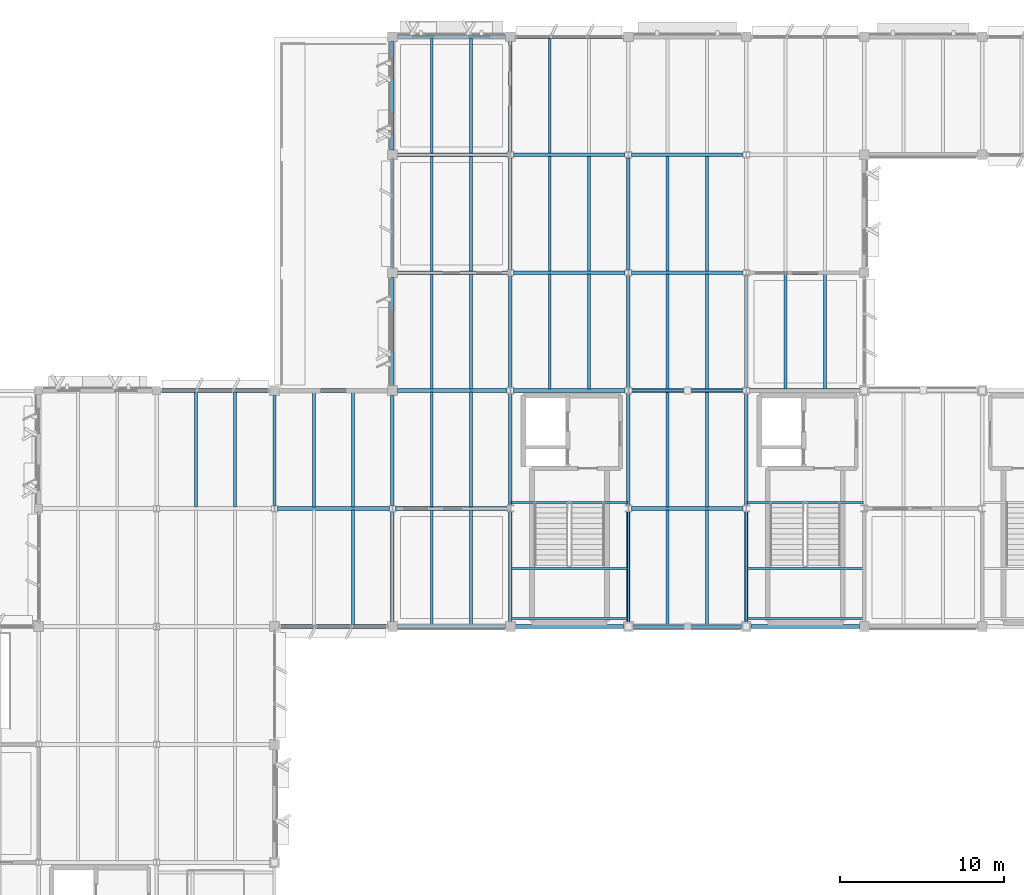
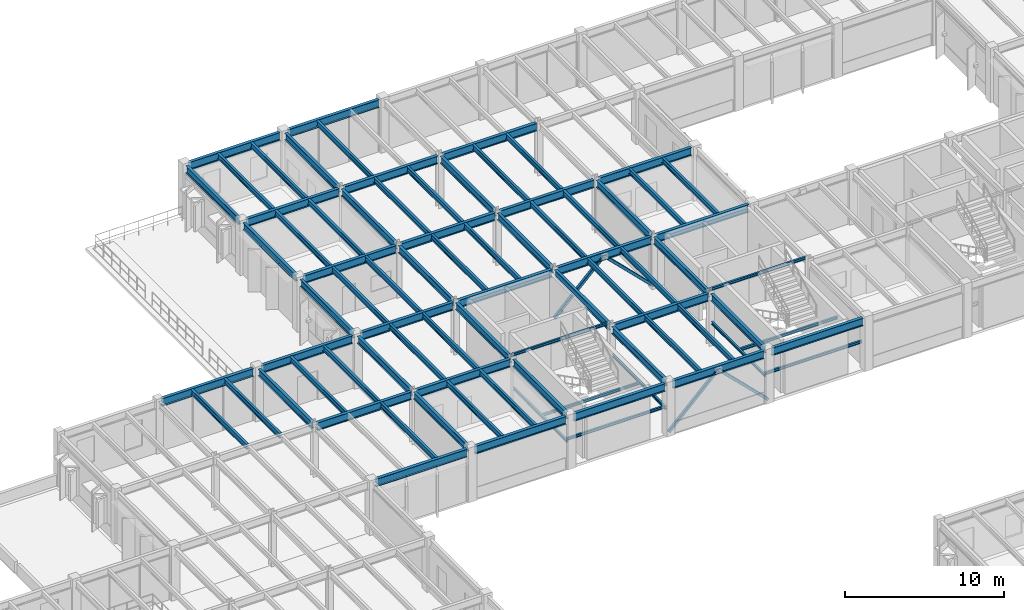
# One storey, part 21 of 85: 80 beams, 4 members.
"""IFC4 building model written with IfcOpenShell, lengths in metres."""

from ifc_helpers import new_model, si_unit, direction, frame, origin, origin_2d, place, context, subcontext, project, spatial, hollow_rectangle, i_section, extrude, material, material_profile, profile_set, type_object, element, save


model = new_model("IFC4")

# Units and contexts
model_context = context("Model", 3, precision=1e-05, world=origin(), true_north=direction((0.0, 1.0)))
body_context = subcontext(model_context, "Body", "Model", "MODEL_VIEW")
ifc_project = project(units=[si_unit("LENGTHUNIT", "METRE"), si_unit("AREAUNIT", "SQUARE_METRE"), si_unit("VOLUMEUNIT", "CUBIC_METRE"), si_unit("PLANEANGLEUNIT", "RADIAN"), si_unit("MASSUNIT", "GRAM", prefix="KILO")], contexts=[model_context])

# Site, building, storey
site_placement = place(None, origin())
site = spatial("IfcSite", under=ifc_project, at=site_placement, CompositionType="ELEMENT")
building_placement = place(site_placement, origin())
building = spatial("IfcBuilding", under=site, at=building_placement, Name="Sillqori Civic Hall", CompositionType="ELEMENT")
storey_placement = place(building_placement, frame((0.0, 0.0, 9.89990234375)))
storey = spatial("IfcBuildingStorey", under=building, at=storey_placement, Name="L03", CompositionType="ELEMENT", Elevation=9.89990234375)

# Beams
ifc_material_1 = material(Name="Steel ASTM A992", Category="steel")
ifc_material_profile_1 = material_profile(ifc_material_1, i_section(OverallWidth=0.2099609375, OverallDepth=0.532958984375, WebThickness=0.01025390625, FlangeThickness=0.015625, FilletRadius=0.013916015625, at=origin_2d()), Name="W21X62")
ifc_profile_set_1 = profile_set([ifc_material_profile_1], Name="Steel ASTM A992")
beam_type_1 = type_object("IfcBeamType", Name="BM-W21X62", PredefinedType="BEAM", material=ifc_profile_set_1)
for number, where, z_axis, x_axis, name in (
    (1, (36.0, 86.577880859375, 3.753662109375), (0.0, 1.0, 0.0), (-1.0, 0.0, 0.0), "L03 girder Y 5-12"),
    (2, (43.199951171875, 79.493896484375, 3.753662109375), (0.0, 1.0, 0.0), (-1.0, 0.0, 0.0), "L03 girder Y 6-11"),
    (3, (43.199951171875, 86.577880859375, 3.753662109375), (0.0, 1.0, 0.0), (-1.0, 0.0, 0.0), "L03 girder Y 6-12"),
):
    element("IfcBeam", number, at=place(storey_placement, frame(where, z_axis=z_axis, x_axis=x_axis)), inside=storey, type_object=beam_type_1, Name=name, PredefinedType="BEAM", context=body_context, shape_type="SweptSolid", body=[
        extrude(i_section(OverallWidth=0.2099609375, OverallDepth=0.532958984375, WebThickness=0.01025390625, FlangeThickness=0.015625, FilletRadius=0.013916015625, at=origin_2d()), origin(), (0.0, 0.0, 1.0), 6.72802734375),
    ])
for number, where, z_axis, x_axis, name in (
    (4, (43.199951171875, 93.89404296875, 3.753662109375), (0.0, 1.0, 0.0), (-1.0, 0.0, 0.0), "L03 girder Y 6-13"),
    (5, (43.199951171875, 101.093994140625, 3.753662109375), (0.0, 1.0, 0.0), (-1.0, 0.0, 0.0), "L03 girder Y 6-14"),
    (6, (43.199951171875, 108.2939453125, 3.753662109375), (0.0, 1.0, 0.0), (-1.0, 0.0, 0.0), "L03 girder Y 6-15"),
):
    element("IfcBeam", number, at=place(storey_placement, frame(where, z_axis=z_axis, x_axis=x_axis)), inside=storey, type_object=beam_type_1, Name=name, PredefinedType="BEAM", context=body_context, shape_type="SweptSolid", body=[
        extrude(i_section(OverallWidth=0.2099609375, OverallDepth=0.532958984375, WebThickness=0.01025390625, FlangeThickness=0.015625, FilletRadius=0.013916015625, at=origin_2d()), origin(), (0.0, 0.0, 1.0), 6.612060546875),
    ])
beam_1_placement = place(storey_placement, frame((50.39990234375, 79.493896484375, 3.753662109375), z_axis=(0.0, 1.0, 0.0), x_axis=(-1.0, 0.0, 0.0)))
element("IfcBeam", 7, at=beam_1_placement, inside=storey, type_object=beam_type_1, Name="L03 girder Y 7-11", PredefinedType="BEAM", context=body_context, shape_type="SweptSolid", body=[
    extrude(i_section(OverallWidth=0.2099609375, OverallDepth=0.532958984375, WebThickness=0.01025390625, FlangeThickness=0.015625, FilletRadius=0.013916015625, at=origin_2d()), origin(), (0.0, 0.0, 1.0), 6.718994140625),
])
beam_2_placement = place(storey_placement, frame((50.39990234375, 86.5869140625, 3.753662109375), z_axis=(0.0, 1.0, 0.0), x_axis=(-1.0, 0.0, 0.0)))
element("IfcBeam", 8, at=beam_2_placement, inside=storey, type_object=beam_type_1, Name="L03 girder Y 7-12", PredefinedType="BEAM", context=body_context, shape_type="SweptSolid", body=[
    extrude(i_section(OverallWidth=0.2099609375, OverallDepth=0.532958984375, WebThickness=0.01025390625, FlangeThickness=0.015625, FilletRadius=0.013916015625, at=origin_2d()), origin(), (0.0, 0.0, 1.0), 6.826171875),
])
beam_3_placement = place(storey_placement, frame((50.39990234375, 93.787109375, 3.753662109375), z_axis=(0.0, 1.0, 0.0), x_axis=(-1.0, 0.0, 0.0)))
element("IfcBeam", 9, at=beam_3_placement, inside=storey, type_object=beam_type_1, Name="L03 girder Y 7-13", PredefinedType="BEAM", context=body_context, shape_type="SweptSolid", body=[
    extrude(i_section(OverallWidth=0.2099609375, OverallDepth=0.532958984375, WebThickness=0.01025390625, FlangeThickness=0.015625, FilletRadius=0.013916015625, at=origin_2d()), origin(), (0.0, 0.0, 1.0), 6.830810546875),
])
beam_4_placement = place(storey_placement, frame((50.39990234375, 100.98193359375, 3.753662109375), z_axis=(0.0, 1.0, 0.0), x_axis=(-1.0, 0.0, 0.0)))
element("IfcBeam", 10, at=beam_4_placement, inside=storey, type_object=beam_type_1, Name="L03 girder Y 7-14", PredefinedType="BEAM", context=body_context, shape_type="SweptSolid", body=[
    extrude(i_section(OverallWidth=0.2099609375, OverallDepth=0.532958984375, WebThickness=0.01025390625, FlangeThickness=0.015625, FilletRadius=0.013916015625, at=origin_2d()), origin(), (0.0, 0.0, 1.0), 6.836181640625),
])
beam_5_placement = place(storey_placement, frame((50.39990234375, 108.181884765625, 3.753662109375), z_axis=(0.0, 1.0, 0.0), x_axis=(-1.0, 0.0, 0.0)))
element("IfcBeam", 11, at=beam_5_placement, inside=storey, type_object=beam_type_1, Name="L03 girder Y 7-15", PredefinedType="BEAM", context=body_context, shape_type="SweptSolid", body=[
    extrude(i_section(OverallWidth=0.2099609375, OverallDepth=0.532958984375, WebThickness=0.01025390625, FlangeThickness=0.015625, FilletRadius=0.013916015625, at=origin_2d()), origin(), (0.0, 0.0, 1.0), 6.72412109375),
])
beam_6_placement = place(storey_placement, frame((57.60009765625, 79.493896484375, 3.753662109375), z_axis=(0.0, 1.0, 0.0), x_axis=(-1.0, 0.0, 0.0)))
element("IfcBeam", 12, at=beam_6_placement, inside=storey, type_object=beam_type_1, Name="L03 girder Y 8-11", PredefinedType="BEAM", context=body_context, shape_type="SweptSolid", body=[
    extrude(i_section(OverallWidth=0.2099609375, OverallDepth=0.532958984375, WebThickness=0.01025390625, FlangeThickness=0.015625, FilletRadius=0.013916015625, at=origin_2d()), origin(), (0.0, 0.0, 1.0), 6.718994140625),
])
beam_7_placement = place(storey_placement, frame((57.60009765625, 86.5869140625, 3.753662109375), z_axis=(0.0, 1.0, 0.0), x_axis=(-1.0, 0.0, 0.0)))
element("IfcBeam", 13, at=beam_7_placement, inside=storey, type_object=beam_type_1, Name="L03 girder Y 8-12", PredefinedType="BEAM", context=body_context, shape_type="SweptSolid", body=[
    extrude(i_section(OverallWidth=0.2099609375, OverallDepth=0.532958984375, WebThickness=0.01025390625, FlangeThickness=0.015625, FilletRadius=0.013916015625, at=origin_2d()), origin(), (0.0, 0.0, 1.0), 6.826171875),
])
for number, where, z_axis, x_axis, name in (
    (14, (57.60009765625, 93.787109375, 3.753662109375), (0.0, 1.0, 0.0), (-1.0, 0.0, 0.0), "L03 girder Y 8-13"),
    (15, (57.60009765625, 100.987060546875, 3.753662109375), (0.0, 1.0, 0.0), (-1.0, 0.0, 0.0), "L03 girder Y 8-14"),
):
    element("IfcBeam", number, at=place(storey_placement, frame(where, z_axis=z_axis, x_axis=x_axis)), inside=storey, type_object=beam_type_1, Name=name, PredefinedType="BEAM", context=body_context, shape_type="SweptSolid", body=[
        extrude(i_section(OverallWidth=0.2099609375, OverallDepth=0.532958984375, WebThickness=0.01025390625, FlangeThickness=0.015625, FilletRadius=0.013916015625, at=origin_2d()), origin(), (0.0, 0.0, 1.0), 6.825927734375),
    ])
beam_8_placement = place(storey_placement, frame((64.800048828125, 79.493896484375, 3.753662109375), z_axis=(0.0, 1.0, 0.0), x_axis=(-1.0, 0.0, 0.0)))
element("IfcBeam", 16, at=beam_8_placement, inside=storey, type_object=beam_type_1, Name="L03 girder Y 9-11", PredefinedType="BEAM", context=body_context, shape_type="SweptSolid", body=[
    extrude(i_section(OverallWidth=0.2099609375, OverallDepth=0.532958984375, WebThickness=0.01025390625, FlangeThickness=0.015625, FilletRadius=0.013916015625, at=origin_2d()), origin(), (0.0, 0.0, 1.0), 6.718994140625),
])
beam_9_placement = place(storey_placement, frame((64.800048828125, 86.5869140625, 3.753662109375), z_axis=(0.0, 1.0, 0.0), x_axis=(-1.0, 0.0, 0.0)))
element("IfcBeam", 17, at=beam_9_placement, inside=storey, type_object=beam_type_1, Name="L03 girder Y 9-12", PredefinedType="BEAM", context=body_context, shape_type="SweptSolid", body=[
    extrude(i_section(OverallWidth=0.2099609375, OverallDepth=0.532958984375, WebThickness=0.01025390625, FlangeThickness=0.015625, FilletRadius=0.013916015625, at=origin_2d()), origin(), (0.0, 0.0, 1.0), 6.826171875),
])
beam_10_placement = place(storey_placement, frame((64.800048828125, 93.787109375, 3.753662109375), z_axis=(0.0, 1.0, 0.0), x_axis=(-1.0, 0.0, 0.0)))
element("IfcBeam", 18, at=beam_10_placement, inside=storey, type_object=beam_type_1, Name="L03 girder Y 9-13", PredefinedType="BEAM", context=body_context, shape_type="SweptSolid", body=[
    extrude(i_section(OverallWidth=0.2099609375, OverallDepth=0.532958984375, WebThickness=0.01025390625, FlangeThickness=0.015625, FilletRadius=0.013916015625, at=origin_2d()), origin(), (0.0, 0.0, 1.0), 6.825927734375),
])
ifc_material_profile_2 = material_profile(ifc_material_1, i_section(OverallWidth=0.22802734375, OverallDepth=0.60205078125, WebThickness=0.010498046875, FlangeThickness=0.014892578125, FilletRadius=0.014892578125, at=origin_2d()), Name="W24X68")
ifc_profile_set_2 = profile_set([ifc_material_profile_2], Name="Steel ASTM A992")
beam_type_2 = type_object("IfcBeamType", Name="BM-W24X68", PredefinedType="BEAM", material=ifc_profile_set_2)
beam_11_placement = place(storey_placement, frame((29.0439453125, 93.60009765625, 3.718994140625), z_axis=(1.0, 0.0, 0.0), x_axis=(0.0, 1.0, 0.0)))
element("IfcBeam", 19, at=beam_11_placement, inside=storey, type_object=beam_type_2, Name="L03 girder X 4-13", PredefinedType="BEAM", context=body_context, shape_type="SweptSolid", body=[
    extrude(i_section(OverallWidth=0.22802734375, OverallDepth=0.60205078125, WebThickness=0.010498046875, FlangeThickness=0.014892578125, FilletRadius=0.014892578125, at=origin_2d()), origin(), (0.0, 0.0, 1.0), 6.662109375),
])
beam_12_placement = place(storey_placement, frame((36.2939453125, 79.199951171875, 3.718994140625), z_axis=(1.0, 0.0, 0.0), x_axis=(0.0, 1.0, 0.0)))
element("IfcBeam", 20, at=beam_12_placement, inside=storey, type_object=beam_type_2, Name="L03 girder X 5-11", PredefinedType="BEAM", context=body_context, shape_type="SweptSolid", body=[
    extrude(i_section(OverallWidth=0.22802734375, OverallDepth=0.60205078125, WebThickness=0.010498046875, FlangeThickness=0.014892578125, FilletRadius=0.014892578125, at=origin_2d()), origin(), (0.0, 0.0, 1.0), 6.612060546875),
])
beam_13_placement = place(storey_placement, frame((36.180419921875, 86.39990234375, 3.718994140625), z_axis=(1.0, 0.0, 0.0), x_axis=(0.0, 1.0, 0.0)))
element("IfcBeam", 21, at=beam_13_placement, inside=storey, type_object=beam_type_2, Name="L03 girder X 5-12", PredefinedType="BEAM", context=body_context, shape_type="SweptSolid", body=[
    extrude(i_section(OverallWidth=0.22802734375, OverallDepth=0.60205078125, WebThickness=0.010498046875, FlangeThickness=0.014892578125, FilletRadius=0.014892578125, at=origin_2d()), origin(), (0.0, 0.0, 1.0), 6.839111328125),
])
for number, where, z_axis, x_axis, name in (
    (22, (36.2939453125, 93.60009765625, 3.718994140625), (1.0, 0.0, 0.0), (0.0, 1.0, 0.0), "L03 girder X 5-13"),
    (23, (43.493896484375, 79.199951171875, 3.718994140625), (1.0, 0.0, 0.0), (0.0, 1.0, 0.0), "L03 girder X 6-11"),
):
    element("IfcBeam", number, at=place(storey_placement, frame(where, z_axis=z_axis, x_axis=x_axis)), inside=storey, type_object=beam_type_2, Name=name, PredefinedType="BEAM", context=body_context, shape_type="SweptSolid", body=[
        extrude(i_section(OverallWidth=0.22802734375, OverallDepth=0.60205078125, WebThickness=0.010498046875, FlangeThickness=0.014892578125, FilletRadius=0.014892578125, at=origin_2d()), origin(), (0.0, 0.0, 1.0), 6.612060546875),
    ])
beam_14_placement = place(storey_placement, frame((43.380615234375, 86.39990234375, 3.718994140625), z_axis=(1.0, 0.0, 0.0), x_axis=(0.0, 1.0, 0.0)))
element("IfcBeam", 24, at=beam_14_placement, inside=storey, type_object=beam_type_2, Name="L03 girder X 6-12", PredefinedType="BEAM", context=body_context, shape_type="SweptSolid", body=[
    extrude(i_section(OverallWidth=0.22802734375, OverallDepth=0.60205078125, WebThickness=0.010498046875, FlangeThickness=0.014892578125, FilletRadius=0.014892578125, at=origin_2d()), origin(), (0.0, 0.0, 1.0), 6.825927734375),
])
beam_15_placement = place(storey_placement, frame((43.493896484375, 93.60009765625, 3.718994140625), z_axis=(1.0, 0.0, 0.0), x_axis=(0.0, 1.0, 0.0)))
element("IfcBeam", 25, at=beam_15_placement, inside=storey, type_object=beam_type_2, Name="L03 girder X 6-13", PredefinedType="BEAM", context=body_context, shape_type="SweptSolid", body=[
    extrude(i_section(OverallWidth=0.22802734375, OverallDepth=0.60205078125, WebThickness=0.010498046875, FlangeThickness=0.014892578125, FilletRadius=0.014892578125, at=origin_2d()), origin(), (0.0, 0.0, 1.0), 6.712646484375),
])
for number, where, z_axis, x_axis, name in (
    (26, (43.493896484375, 100.800048828125, 3.718994140625), (1.0, 0.0, 0.0), (0.0, 1.0, 0.0), "L03 girder X 6-14"),
    (27, (43.493896484375, 108.0, 3.718994140625), (1.0, 0.0, 0.0), (0.0, 1.0, 0.0), "L03 girder X 6-15"),
):
    element("IfcBeam", number, at=place(storey_placement, frame(where, z_axis=z_axis, x_axis=x_axis)), inside=storey, type_object=beam_type_2, Name=name, PredefinedType="BEAM", context=body_context, shape_type="SweptSolid", body=[
        extrude(i_section(OverallWidth=0.22802734375, OverallDepth=0.60205078125, WebThickness=0.010498046875, FlangeThickness=0.014892578125, FilletRadius=0.014892578125, at=origin_2d()), origin(), (0.0, 0.0, 1.0), 6.715087890625),
    ])
beam_16_placement = place(storey_placement, frame((43.493896484375, 115.199951171875, 3.718994140625), z_axis=(1.0, 0.0, 0.0), x_axis=(0.0, 1.0, 0.0)))
element("IfcBeam", 28, at=beam_16_placement, inside=storey, type_object=beam_type_2, Name="L03 girder X 6-16", PredefinedType="BEAM", context=body_context, shape_type="SweptSolid", body=[
    extrude(i_section(OverallWidth=0.22802734375, OverallDepth=0.60205078125, WebThickness=0.010498046875, FlangeThickness=0.014892578125, FilletRadius=0.014892578125, at=origin_2d()), origin(), (0.0, 0.0, 1.0), 6.612060546875),
])
beam_17_placement = place(storey_placement, frame((50.694091796875, 79.199951171875, 3.718994140625), z_axis=(1.0, 0.0, 0.0), x_axis=(0.0, 1.0, 0.0)))
element("IfcBeam", 29, at=beam_17_placement, inside=storey, type_object=beam_type_2, Name="L03 girder X 7-11", PredefinedType="BEAM", context=body_context, shape_type="SweptSolid", body=[
    extrude(i_section(OverallWidth=0.22802734375, OverallDepth=0.60205078125, WebThickness=0.010498046875, FlangeThickness=0.014892578125, FilletRadius=0.014892578125, at=origin_2d()), origin(), (0.0, 0.0, 1.0), 6.61181640625),
])
beam_18_placement = place(storey_placement, frame((50.593505859375, 93.60009765625, 3.718994140625), z_axis=(1.0, 0.0, 0.0), x_axis=(0.0, 1.0, 0.0)))
element("IfcBeam", 30, at=beam_18_placement, inside=storey, type_object=beam_type_2, Name="L03 girder X 7-13", PredefinedType="BEAM", context=body_context, shape_type="SweptSolid", body=[
    extrude(i_section(OverallWidth=0.22802734375, OverallDepth=0.60205078125, WebThickness=0.010498046875, FlangeThickness=0.014892578125, FilletRadius=0.014892578125, at=origin_2d()), origin(), (0.0, 0.0, 1.0), 6.81298828125),
])
for number, where, z_axis, x_axis, name in (
    (31, (50.591064453125, 100.800048828125, 3.718994140625), (1.0, 0.0, 0.0), (0.0, 1.0, 0.0), "L03 girder X 7-14"),
    (32, (50.591064453125, 108.0, 3.718994140625), (1.0, 0.0, 0.0), (0.0, 1.0, 0.0), "L03 girder X 7-15"),
):
    element("IfcBeam", number, at=place(storey_placement, frame(where, z_axis=z_axis, x_axis=x_axis)), inside=storey, type_object=beam_type_2, Name=name, PredefinedType="BEAM", context=body_context, shape_type="SweptSolid", body=[
        extrude(i_section(OverallWidth=0.22802734375, OverallDepth=0.60205078125, WebThickness=0.010498046875, FlangeThickness=0.014892578125, FilletRadius=0.014892578125, at=origin_2d()), origin(), (0.0, 0.0, 1.0), 6.8154296875),
    ])
beam_19_placement = place(storey_placement, frame((50.694091796875, 115.199951171875, 3.718994140625), z_axis=(1.0, 0.0, 0.0), x_axis=(0.0, 1.0, 0.0)))
element("IfcBeam", 33, at=beam_19_placement, inside=storey, type_object=beam_type_2, Name="L03 girder X 7-16", PredefinedType="BEAM", context=body_context, shape_type="SweptSolid", body=[
    extrude(i_section(OverallWidth=0.22802734375, OverallDepth=0.60205078125, WebThickness=0.010498046875, FlangeThickness=0.014892578125, FilletRadius=0.014892578125, at=origin_2d()), origin(), (0.0, 0.0, 1.0), 6.61181640625),
])
beam_20_placement = place(storey_placement, frame((57.89404296875, 79.199951171875, 3.718994140625), z_axis=(1.0, 0.0, 0.0), x_axis=(0.0, 1.0, 0.0)))
element("IfcBeam", 34, at=beam_20_placement, inside=storey, type_object=beam_type_2, Name="L03 girder X 8-11", PredefinedType="BEAM", context=body_context, shape_type="SweptSolid", body=[
    extrude(i_section(OverallWidth=0.22802734375, OverallDepth=0.60205078125, WebThickness=0.010498046875, FlangeThickness=0.014892578125, FilletRadius=0.014892578125, at=origin_2d()), origin(), (0.0, 0.0, 1.0), 6.612060546875),
])
for number, where, z_axis, x_axis, name in (
    (35, (57.79345703125, 86.39990234375, 3.718994140625), (1.0, 0.0, 0.0), (0.0, 1.0, 0.0), "L03 girder X 8-12"),
    (36, (57.79345703125, 93.60009765625, 3.718994140625), (1.0, 0.0, 0.0), (0.0, 1.0, 0.0), "L03 girder X 8-13"),
    (37, (57.79345703125, 100.800048828125, 3.718994140625), (1.0, 0.0, 0.0), (0.0, 1.0, 0.0), "L03 girder X 8-14"),
    (38, (57.79345703125, 108.0, 3.718994140625), (1.0, 0.0, 0.0), (0.0, 1.0, 0.0), "L03 girder X 8-15"),
):
    element("IfcBeam", number, at=place(storey_placement, frame(where, z_axis=z_axis, x_axis=x_axis)), inside=storey, type_object=beam_type_2, Name=name, PredefinedType="BEAM", context=body_context, shape_type="SweptSolid", body=[
        extrude(i_section(OverallWidth=0.22802734375, OverallDepth=0.60205078125, WebThickness=0.010498046875, FlangeThickness=0.014892578125, FilletRadius=0.014892578125, at=origin_2d()), origin(), (0.0, 0.0, 1.0), 6.81298828125),
    ])
beam_21_placement = place(storey_placement, frame((65.093994140625, 79.199951171875, 3.718994140625), z_axis=(1.0, 0.0, 0.0), x_axis=(0.0, 1.0, 0.0)))
element("IfcBeam", 39, at=beam_21_placement, inside=storey, type_object=beam_type_2, Name="L03 girder X 9-11", PredefinedType="BEAM", context=body_context, shape_type="SweptSolid", body=[
    extrude(i_section(OverallWidth=0.22802734375, OverallDepth=0.60205078125, WebThickness=0.010498046875, FlangeThickness=0.014892578125, FilletRadius=0.014892578125, at=origin_2d()), origin(), (0.0, 0.0, 1.0), 6.612060546875),
])
for number, where, z_axis, x_axis, name in (
    (40, (64.993408203125, 93.60009765625, 3.718994140625), (1.0, 0.0, 0.0), (0.0, 1.0, 0.0), "L03 girder X 9-13"),
    (41, (64.993408203125, 100.800048828125, 3.718994140625), (1.0, 0.0, 0.0), (0.0, 1.0, 0.0), "L03 girder X 9-14"),
):
    element("IfcBeam", number, at=place(storey_placement, frame(where, z_axis=z_axis, x_axis=x_axis)), inside=storey, type_object=beam_type_2, Name=name, PredefinedType="BEAM", context=body_context, shape_type="SweptSolid", body=[
        extrude(i_section(OverallWidth=0.22802734375, OverallDepth=0.60205078125, WebThickness=0.010498046875, FlangeThickness=0.014892578125, FilletRadius=0.014892578125, at=origin_2d()), origin(), (0.0, 0.0, 1.0), 6.712646484375),
    ])

# Members
ifc_material_2 = material(Name="Steel ASTM A500 Grade C", Category="steel")
ifc_material_profile_3 = material_profile(ifc_material_2, hollow_rectangle(XDim=0.199951171875, YDim=0.199951171875, WallThickness=0.010009765625, InnerFilletRadius=0.010009765625, OuterFilletRadius=0.02001953125, at=origin_2d()), Name="HSS200X200X10")
ifc_profile_set_3 = profile_set([ifc_material_profile_3], Name="Steel ASTM A500 Grade C")
member_type = type_object("IfcMemberType", Name="BR-HSS200", PredefinedType="BRACE", material=ifc_profile_set_3)
member_1_placement = place(storey_placement, frame((57.60009765625, 79.199951171875, 0.150146484375), z_axis=(0.712015061443, 0.0, 0.702164191823), x_axis=(0.0, 1.0, 0.0)))
element("IfcMember", 42, at=member_1_placement, inside=storey, type_object=member_type, Name="L03 seismic chevron brace L X11-8", PredefinedType="BRACE", context=body_context, shape_type="SweptSolid", body=[
    extrude(hollow_rectangle(XDim=0.199951171875, YDim=0.199951171875, WallThickness=0.010009765625, InnerFilletRadius=0.010009765625, OuterFilletRadius=0.02001953125, at=origin_2d()), origin(), (0.0, 0.0, 1.0), 5.055908203125),
])
member_2_placement = place(storey_placement, frame((64.800048828125, 79.199951171875, 0.150146484375), z_axis=(-0.712038868151, 0.0, 0.702140050305), x_axis=(0.0, -1.0, 0.0)))
element("IfcMember", 43, at=member_2_placement, inside=storey, type_object=member_type, Name="L03 seismic chevron brace R X11-8", PredefinedType="BRACE", context=body_context, shape_type="SweptSolid", body=[
    extrude(hollow_rectangle(XDim=0.199951171875, YDim=0.199951171875, WallThickness=0.010009765625, InnerFilletRadius=0.010009765625, OuterFilletRadius=0.02001953125, at=origin_2d()), origin(), (0.0, 0.0, 1.0), 5.05615234375),
])
member_3_placement = place(storey_placement, frame((57.60009765625, 93.60009765625, 0.150146484375), z_axis=(0.712015061443, 0.0, 0.702164191823), x_axis=(0.0, 1.0, 0.0)))
element("IfcMember", 44, at=member_3_placement, inside=storey, type_object=member_type, Name="L03 seismic chevron brace L X13-8", PredefinedType="BRACE", context=body_context, shape_type="SweptSolid", body=[
    extrude(hollow_rectangle(XDim=0.199951171875, YDim=0.199951171875, WallThickness=0.010009765625, InnerFilletRadius=0.010009765625, OuterFilletRadius=0.02001953125, at=origin_2d()), origin(), (0.0, 0.0, 1.0), 5.055908203125),
])
member_4_placement = place(storey_placement, frame((64.800048828125, 93.60009765625, 0.150146484375), z_axis=(-0.712038868151, 0.0, 0.702140050305), x_axis=(0.0, -1.0, 0.0)))
element("IfcMember", 45, at=member_4_placement, inside=storey, type_object=member_type, Name="L03 seismic chevron brace R X13-8", PredefinedType="BRACE", context=body_context, shape_type="SweptSolid", body=[
    extrude(hollow_rectangle(XDim=0.199951171875, YDim=0.199951171875, WallThickness=0.010009765625, InnerFilletRadius=0.010009765625, OuterFilletRadius=0.02001953125, at=origin_2d()), origin(), (0.0, 0.0, 1.0), 5.05615234375),
])

# Beams
ifc_material_profile_4 = material_profile(ifc_material_1, i_section(OverallWidth=0.177978515625, OverallDepth=0.404052734375, WebThickness=0.007568359375, FlangeThickness=0.010986328125, FilletRadius=0.011962890625, at=origin_2d()), Name="W16X36")
ifc_profile_set_4 = profile_set([ifc_material_profile_4], Name="Steel ASTM A992")
beam_type_3 = type_object("IfcBeamType", Name="JS-W16X36", PredefinedType="JOIST", material=ifc_profile_set_4)
for number, where, z_axis, x_axis, name in (
    (46, (31.199951171875, 86.4951171875, 3.818115234375), (0.0, 1.0, 0.0), (-1.0, 0.0, 0.0), "L03 composite joist 4-12.1"),
    (47, (33.60009765625, 86.4951171875, 3.818115234375), (0.0, 1.0, 0.0), (-1.0, 0.0, 0.0), "L03 composite joist 4-12.2"),
):
    element("IfcBeam", number, at=place(storey_placement, frame(where, z_axis=z_axis, x_axis=x_axis)), inside=storey, type_object=beam_type_3, Name=name, PredefinedType="JOIST", context=body_context, shape_type="SweptSolid", body=[
        extrude(i_section(OverallWidth=0.177978515625, OverallDepth=0.404052734375, WebThickness=0.007568359375, FlangeThickness=0.010986328125, FilletRadius=0.011962890625, at=origin_2d()), origin(), (0.0, 0.0, 1.0), 7.009765625),
    ])
beam_22_placement = place(storey_placement, frame((40.800048828125, 79.294921875, 3.818115234375), z_axis=(0.0, 1.0, 0.0), x_axis=(-1.0, 0.0, 0.0)))
element("IfcBeam", 48, at=beam_22_placement, inside=storey, type_object=beam_type_3, Name="L03 composite joist 5-11.2", PredefinedType="JOIST", context=body_context, shape_type="SweptSolid", body=[
    extrude(i_section(OverallWidth=0.177978515625, OverallDepth=0.404052734375, WebThickness=0.007568359375, FlangeThickness=0.010986328125, FilletRadius=0.011962890625, at=origin_2d()), origin(), (0.0, 0.0, 1.0), 7.010009765625),
])
for number, where, z_axis, x_axis, name in (
    (49, (38.39990234375, 86.4951171875, 3.818115234375), (0.0, 1.0, 0.0), (-1.0, 0.0, 0.0), "L03 composite joist 5-12.1"),
    (50, (40.800048828125, 86.4951171875, 3.818115234375), (0.0, 1.0, 0.0), (-1.0, 0.0, 0.0), "L03 composite joist 5-12.2"),
):
    element("IfcBeam", number, at=place(storey_placement, frame(where, z_axis=z_axis, x_axis=x_axis)), inside=storey, type_object=beam_type_3, Name=name, PredefinedType="JOIST", context=body_context, shape_type="SweptSolid", body=[
        extrude(i_section(OverallWidth=0.177978515625, OverallDepth=0.404052734375, WebThickness=0.007568359375, FlangeThickness=0.010986328125, FilletRadius=0.011962890625, at=origin_2d()), origin(), (0.0, 0.0, 1.0), 7.009765625),
    ])
for number, where, z_axis, x_axis, name in (
    (51, (45.60009765625, 79.294921875, 3.818115234375), (0.0, 1.0, 0.0), (-1.0, 0.0, 0.0), "L03 composite joist 6-11.1"),
    (52, (48.0, 79.294921875, 3.818115234375), (0.0, 1.0, 0.0), (-1.0, 0.0, 0.0), "L03 composite joist 6-11.2"),
):
    element("IfcBeam", number, at=place(storey_placement, frame(where, z_axis=z_axis, x_axis=x_axis)), inside=storey, type_object=beam_type_3, Name=name, PredefinedType="JOIST", context=body_context, shape_type="SweptSolid", body=[
        extrude(i_section(OverallWidth=0.177978515625, OverallDepth=0.404052734375, WebThickness=0.007568359375, FlangeThickness=0.010986328125, FilletRadius=0.011962890625, at=origin_2d()), origin(), (0.0, 0.0, 1.0), 7.010009765625),
    ])
for number, where, z_axis, x_axis, name in (
    (53, (45.60009765625, 86.4951171875, 3.818115234375), (0.0, 1.0, 0.0), (-1.0, 0.0, 0.0), "L03 composite joist 6-12.1"),
    (54, (48.0, 86.4951171875, 3.818115234375), (0.0, 1.0, 0.0), (-1.0, 0.0, 0.0), "L03 composite joist 6-12.2"),
):
    element("IfcBeam", number, at=place(storey_placement, frame(where, z_axis=z_axis, x_axis=x_axis)), inside=storey, type_object=beam_type_3, Name=name, PredefinedType="JOIST", context=body_context, shape_type="SweptSolid", body=[
        extrude(i_section(OverallWidth=0.177978515625, OverallDepth=0.404052734375, WebThickness=0.007568359375, FlangeThickness=0.010986328125, FilletRadius=0.011962890625, at=origin_2d()), origin(), (0.0, 0.0, 1.0), 7.009765625),
    ])
for number, where, z_axis, x_axis, name in (
    (55, (45.60009765625, 93.695068359375, 3.818115234375), (0.0, 1.0, 0.0), (-1.0, 0.0, 0.0), "L03 composite joist 6-13.1"),
    (56, (48.0, 93.695068359375, 3.818115234375), (0.0, 1.0, 0.0), (-1.0, 0.0, 0.0), "L03 composite joist 6-13.2"),
    (57, (45.60009765625, 100.89501953125, 3.818115234375), (0.0, 1.0, 0.0), (-1.0, 0.0, 0.0), "L03 composite joist 6-14.1"),
    (58, (48.0, 100.89501953125, 3.818115234375), (0.0, 1.0, 0.0), (-1.0, 0.0, 0.0), "L03 composite joist 6-14.2"),
    (59, (45.60009765625, 108.094970703125, 3.818115234375), (0.0, 1.0, 0.0), (-1.0, 0.0, 0.0), "L03 composite joist 6-15.1"),
    (60, (48.0, 108.094970703125, 3.818115234375), (0.0, 1.0, 0.0), (-1.0, 0.0, 0.0), "L03 composite joist 6-15.2"),
    (61, (52.800048828125, 93.695068359375, 3.818115234375), (0.0, 1.0, 0.0), (-1.0, 0.0, 0.0), "L03 composite joist 7-13.1"),
    (62, (55.199951171875, 93.695068359375, 3.818115234375), (0.0, 1.0, 0.0), (-1.0, 0.0, 0.0), "L03 composite joist 7-13.2"),
    (63, (52.800048828125, 100.89501953125, 3.818115234375), (0.0, 1.0, 0.0), (-1.0, 0.0, 0.0), "L03 composite joist 7-14.1"),
    (64, (55.199951171875, 100.89501953125, 3.818115234375), (0.0, 1.0, 0.0), (-1.0, 0.0, 0.0), "L03 composite joist 7-14.2"),
    (65, (52.800048828125, 108.094970703125, 3.818115234375), (0.0, 1.0, 0.0), (-1.0, 0.0, 0.0), "L03 composite joist 7-15.1"),
    (66, (60.0, 79.294921875, 3.818115234375), (0.0, 1.0, 0.0), (-1.0, 0.0, 0.0), "L03 composite joist 8-11.1"),
    (67, (62.39990234375, 79.294921875, 3.818115234375), (0.0, 1.0, 0.0), (-1.0, 0.0, 0.0), "L03 composite joist 8-11.2"),
):
    element("IfcBeam", number, at=place(storey_placement, frame(where, z_axis=z_axis, x_axis=x_axis)), inside=storey, type_object=beam_type_3, Name=name, PredefinedType="JOIST", context=body_context, shape_type="SweptSolid", body=[
        extrude(i_section(OverallWidth=0.177978515625, OverallDepth=0.404052734375, WebThickness=0.007568359375, FlangeThickness=0.010986328125, FilletRadius=0.011962890625, at=origin_2d()), origin(), (0.0, 0.0, 1.0), 7.010009765625),
    ])
for number, where, z_axis, x_axis, name in (
    (68, (60.0, 86.4951171875, 3.818115234375), (0.0, 1.0, 0.0), (-1.0, 0.0, 0.0), "L03 composite joist 8-12.1"),
    (69, (62.39990234375, 86.4951171875, 3.818115234375), (0.0, 1.0, 0.0), (-1.0, 0.0, 0.0), "L03 composite joist 8-12.2"),
):
    element("IfcBeam", number, at=place(storey_placement, frame(where, z_axis=z_axis, x_axis=x_axis)), inside=storey, type_object=beam_type_3, Name=name, PredefinedType="JOIST", context=body_context, shape_type="SweptSolid", body=[
        extrude(i_section(OverallWidth=0.177978515625, OverallDepth=0.404052734375, WebThickness=0.007568359375, FlangeThickness=0.010986328125, FilletRadius=0.011962890625, at=origin_2d()), origin(), (0.0, 0.0, 1.0), 7.009765625),
    ])
for number, where, z_axis, x_axis, name in (
    (70, (60.0, 93.695068359375, 3.818115234375), (0.0, 1.0, 0.0), (-1.0, 0.0, 0.0), "L03 composite joist 8-13.1"),
    (71, (62.39990234375, 93.695068359375, 3.818115234375), (0.0, 1.0, 0.0), (-1.0, 0.0, 0.0), "L03 composite joist 8-13.2"),
    (72, (60.0, 100.89501953125, 3.818115234375), (0.0, 1.0, 0.0), (-1.0, 0.0, 0.0), "L03 composite joist 8-14.1"),
    (73, (62.39990234375, 100.89501953125, 3.818115234375), (0.0, 1.0, 0.0), (-1.0, 0.0, 0.0), "L03 composite joist 8-14.2"),
    (74, (67.199951171875, 93.695068359375, 3.818115234375), (0.0, 1.0, 0.0), (-1.0, 0.0, 0.0), "L03 composite joist 9-13.1"),
    (75, (69.60009765625, 93.695068359375, 3.818115234375), (0.0, 1.0, 0.0), (-1.0, 0.0, 0.0), "L03 composite joist 9-13.2"),
):
    element("IfcBeam", number, at=place(storey_placement, frame(where, z_axis=z_axis, x_axis=x_axis)), inside=storey, type_object=beam_type_3, Name=name, PredefinedType="JOIST", context=body_context, shape_type="SweptSolid", body=[
        extrude(i_section(OverallWidth=0.177978515625, OverallDepth=0.404052734375, WebThickness=0.007568359375, FlangeThickness=0.010986328125, FilletRadius=0.011962890625, at=origin_2d()), origin(), (0.0, 0.0, 1.0), 7.010009765625),
    ])
ifc_material_profile_5 = material_profile(ifc_material_1, i_section(OverallWidth=0.133056640625, OverallDepth=0.20703125, WebThickness=0.005859375, FlangeThickness=0.00830078125, FilletRadius=0.008056640625, at=origin_2d()), Name="W8X18")
ifc_profile_set_5 = profile_set([ifc_material_profile_5], Name="Steel ASTM A992")
beam_type_4 = type_object("IfcBeamType", Name="LN-W8X18", PredefinedType="LINTEL", material=ifc_profile_set_5)
for number, where, z_axis, x_axis, name in (
    (76, (50.39990234375, 79.493896484375, 1.78271484375), (0.0, 1.0, 0.0), (-1.0, 0.0, 0.0), "L03 grid 7 stair landing stringer 1"),
    (77, (57.60009765625, 79.493896484375, 1.78271484375), (0.0, 1.0, 0.0), (-1.0, 0.0, 0.0), "L03 grid 8 stair landing stringer 1"),
):
    element("IfcBeam", number, at=place(storey_placement, frame(where, z_axis=z_axis, x_axis=x_axis)), inside=storey, type_object=beam_type_4, Name=name, PredefinedType="LINTEL", context=body_context, shape_type="SweptSolid", body=[
        extrude(i_section(OverallWidth=0.133056640625, OverallDepth=0.20703125, WebThickness=0.005859375, FlangeThickness=0.00830078125, FilletRadius=0.008056640625, at=origin_2d()), origin(), (0.0, 0.0, 1.0), 6.718994140625),
    ])
for number, where, z_axis, x_axis, name in (
    (78, (50.449951171875, 79.695068359375, 1.78271484375), (1.0, 0.0, 0.0), (0.0, 1.0, 0.0), "L03 C5 stair half-landing steel ledger 1.1"),
    (79, (50.449951171875, 82.75, 1.78271484375), (1.0, 0.0, 0.0), (0.0, 1.0, 0.0), "L03 C5 stair half-landing steel ledger 1.2"),
    (80, (50.449951171875, 86.77001953125, 3.922607421875), (1.0, 0.0, 0.0), (0.0, 1.0, 0.0), "L03 C5 stair upper arrival steel trimmer"),
):
    element("IfcBeam", number, at=place(storey_placement, frame(where, z_axis=z_axis, x_axis=x_axis)), inside=storey, type_object=beam_type_4, Name=name, PredefinedType="LINTEL", context=body_context, shape_type="SweptSolid", body=[
        extrude(i_section(OverallWidth=0.133056640625, OverallDepth=0.20703125, WebThickness=0.005859375, FlangeThickness=0.00830078125, FilletRadius=0.008056640625, at=origin_2d()), origin(), (0.0, 0.0, 1.0), 7.10009765625),
    ])
beam_23_placement = place(storey_placement, frame((64.800048828125, 79.493896484375, 1.78271484375), z_axis=(0.0, 1.0, 0.0), x_axis=(-1.0, 0.0, 0.0)))
element("IfcBeam", 81, at=beam_23_placement, inside=storey, type_object=beam_type_4, Name="L03 grid 9 stair landing stringer 1", PredefinedType="LINTEL", context=body_context, shape_type="SweptSolid", body=[
    extrude(i_section(OverallWidth=0.133056640625, OverallDepth=0.20703125, WebThickness=0.005859375, FlangeThickness=0.00830078125, FilletRadius=0.008056640625, at=origin_2d()), origin(), (0.0, 0.0, 1.0), 6.718994140625),
])
for number, where, z_axis, x_axis, name in (
    (82, (64.85009765625, 79.695068359375, 1.78271484375), (1.0, 0.0, 0.0), (0.0, 1.0, 0.0), "L03 C6 stair half-landing steel ledger 1.1"),
    (83, (64.85009765625, 82.75, 1.78271484375), (1.0, 0.0, 0.0), (0.0, 1.0, 0.0), "L03 C6 stair half-landing steel ledger 1.2"),
    (84, (64.85009765625, 86.77001953125, 3.922607421875), (1.0, 0.0, 0.0), (0.0, 1.0, 0.0), "L03 C6 stair upper arrival steel trimmer"),
):
    element("IfcBeam", number, at=place(storey_placement, frame(where, z_axis=z_axis, x_axis=x_axis)), inside=storey, type_object=beam_type_4, Name=name, PredefinedType="LINTEL", context=body_context, shape_type="SweptSolid", body=[
        extrude(i_section(OverallWidth=0.133056640625, OverallDepth=0.20703125, WebThickness=0.005859375, FlangeThickness=0.00830078125, FilletRadius=0.008056640625, at=origin_2d()), origin(), (0.0, 0.0, 1.0), 7.099853515625),
    ])

save(model, "model.ifc")
